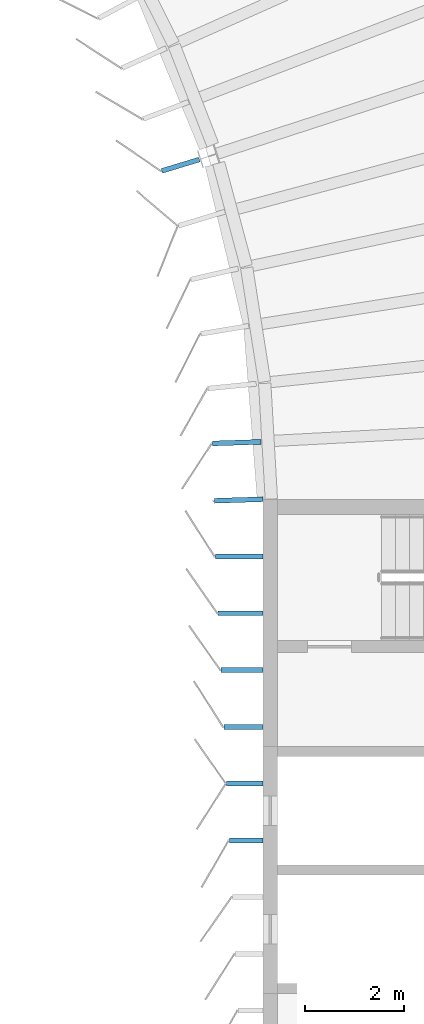
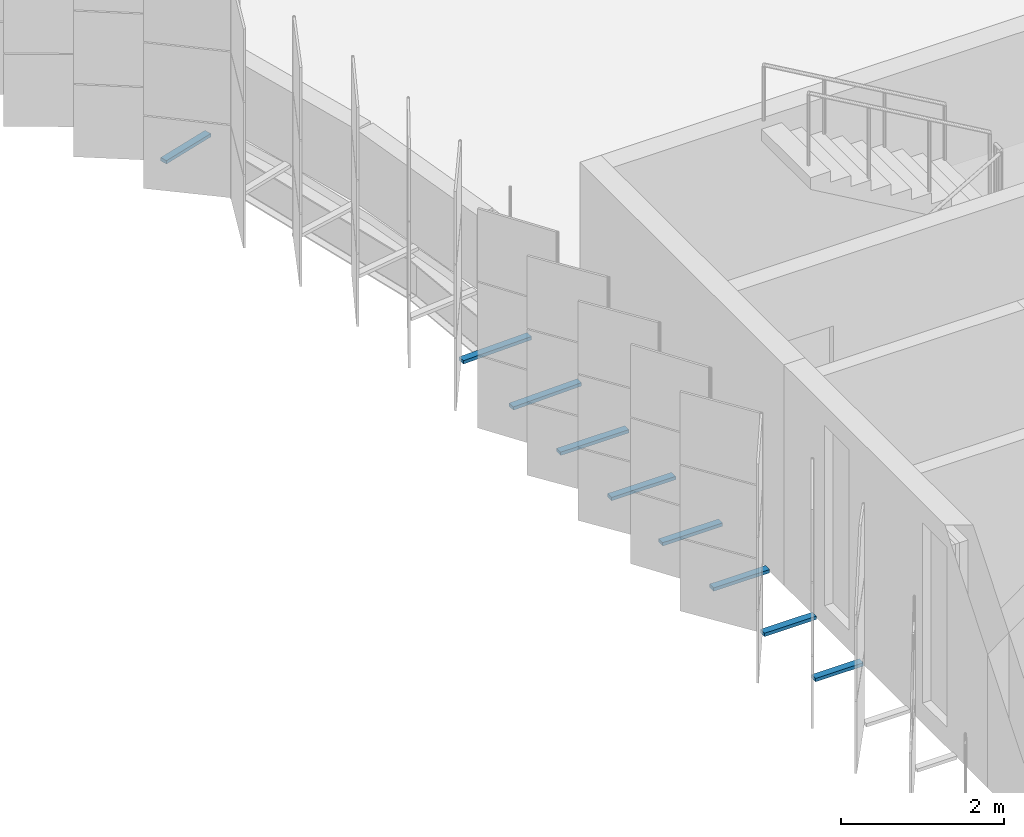
# One storey, part 170 of 199: 9 discrete accessories.
"""IFC4 building model written with IfcOpenShell, lengths in metres."""

from ifc_helpers import new_model, si_unit, direction, frame, origin, origin_2d, place, context, subcontext, project, spatial, rectangle, extrude, material, type_object, element, save


model = new_model("IFC4")

# Units and contexts
model_context = context("Model", 3, precision=1e-05, world=origin(), true_north=direction((0.0, 1.0)))
body_context = subcontext(model_context, "Body", "Model", "MODEL_VIEW")
ifc_project = project(units=[si_unit("LENGTHUNIT", "METRE"), si_unit("AREAUNIT", "SQUARE_METRE"), si_unit("VOLUMEUNIT", "CUBIC_METRE"), si_unit("PLANEANGLEUNIT", "RADIAN"), si_unit("MASSUNIT", "GRAM", prefix="KILO")], contexts=[model_context])

# Site, building, storey
site_placement = place(None, origin())
site = spatial("IfcSite", under=ifc_project, at=site_placement, CompositionType="ELEMENT")
building_placement = place(site_placement, origin())
building = spatial("IfcBuilding", under=site, at=building_placement, Name="Parallax Yard Mobility Hub", CompositionType="ELEMENT")
storey_placement = place(building_placement, frame((0.0, 0.0, 9.89990234375)))
storey = spatial("IfcBuildingStorey", under=building, at=storey_placement, Name="L03", CompositionType="ELEMENT", Elevation=9.89990234375)

# Discrete accessories
ifc_material = material(Name="Steel ASTM A36, hot-dip galvanised", Category="steel")
discrete_accessory_type = type_object("IfcDiscreteAccessoryType", Name="Hinge bracket plate 100x50", PredefinedType="BRACKET", material=ifc_material)
discrete_accessory_1_placement = place(storey_placement, frame((193.3330078125, 96.775390625, -0.02490234375), z_axis=(0.0, 0.0, 1.0), x_axis=(-0.956940335732, -0.290284677254, 0.0)))
element("IfcDiscreteAccessory", 1, at=discrete_accessory_1_placement, inside=storey, type_object=discrete_accessory_type, Name="Hinge bracket plate bay 22.1 level L03", PredefinedType="BRACKET", context=body_context, shape_type="SweptSolid", body=[
    extrude(rectangle(XDim=0.79638671875, YDim=0.10009765625, at=origin_2d()), origin(), (0.0, 0.0, 1.0), 0.050048828125),
])
for number, where, z_axis, x_axis, name in (
    (2, (194.47021484375, 91.155029296875, -0.02490234375), (0.0, 0.0, 1.0), (-0.999464587476, -0.032719082822, 0.0), "Hinge bracket plate bay 22.6 level L03"),
    (3, (194.50830078125, 89.993408203125, -0.02490234375), (0.0, 0.0, 1.0), (-0.999464587476, -0.032719082822, 0.0), "Hinge bracket plate bay 23.1 level L03"),
):
    element("IfcDiscreteAccessory", number, at=place(storey_placement, frame(where, z_axis=z_axis, x_axis=x_axis)), inside=storey, type_object=discrete_accessory_type, Name=name, PredefinedType="BRACKET", context=body_context, shape_type="SweptSolid", body=[
        extrude(rectangle(XDim=0.984130859375, YDim=0.10009765625, at=origin_2d()), origin(), (0.0, 0.0, 1.0), 0.050048828125),
    ])
discrete_accessory_2_placement = place(storey_placement, frame((194.518310546875, 88.849609375, -0.02490234375), z_axis=(0.0, 0.0, 1.0), x_axis=(-1.0, 0.0, 0.0)))
element("IfcDiscreteAccessory", 4, at=discrete_accessory_2_placement, inside=storey, type_object=discrete_accessory_type, Name="Hinge bracket plate bay 23.2 level L03", PredefinedType="BRACKET", context=body_context, shape_type="SweptSolid", body=[
    extrude(rectangle(XDim=0.96435546875, YDim=0.10009765625, at=origin_2d()), origin(), (0.0, 0.0, 1.0), 0.050048828125),
])
discrete_accessory_3_placement = place(storey_placement, frame((194.547119140625, 87.69921875, -0.02490234375), z_axis=(0.0, 0.0, 1.0), x_axis=(-1.0, 0.0, 0.0)))
element("IfcDiscreteAccessory", 5, at=discrete_accessory_3_placement, inside=storey, type_object=discrete_accessory_type, Name="Hinge bracket plate bay 23.3 level L03", PredefinedType="BRACKET", context=body_context, shape_type="SweptSolid", body=[
    extrude(rectangle(XDim=0.906982421875, YDim=0.10009765625, at=origin_2d()), origin(), (0.0, 0.0, 1.0), 0.050048828125),
])
discrete_accessory_4_placement = place(storey_placement, frame((194.57568359375, 86.549072265625, -0.02490234375), z_axis=(0.0, 0.0, 1.0), x_axis=(-1.0, 0.0, 0.0)))
element("IfcDiscreteAccessory", 6, at=discrete_accessory_4_placement, inside=storey, type_object=discrete_accessory_type, Name="Hinge bracket plate bay 23.4 level L03", PredefinedType="BRACKET", context=body_context, shape_type="SweptSolid", body=[
    extrude(rectangle(XDim=0.849365234375, YDim=0.10009765625, at=origin_2d()), origin(), (0.0, 0.0, 1.0), 0.050048828125),
])
discrete_accessory_5_placement = place(storey_placement, frame((194.6044921875, 85.39892578125, -0.02490234375), z_axis=(0.0, 0.0, 1.0), x_axis=(-1.0, 0.0, 0.0)))
element("IfcDiscreteAccessory", 7, at=discrete_accessory_5_placement, inside=storey, type_object=discrete_accessory_type, Name="Hinge bracket plate bay 23.5 level L03", PredefinedType="BRACKET", context=body_context, shape_type="SweptSolid", body=[
    extrude(rectangle(XDim=0.7919921875, YDim=0.10009765625, at=origin_2d()), origin(), (0.0, 0.0, 1.0), 0.050048828125),
])
discrete_accessory_6_placement = place(storey_placement, frame((194.63330078125, 84.248779296875, -0.02490234375), z_axis=(0.0, 0.0, 1.0), x_axis=(-1.0, 0.0, 0.0)))
element("IfcDiscreteAccessory", 8, at=discrete_accessory_6_placement, inside=storey, type_object=discrete_accessory_type, Name="Hinge bracket plate bay 23.6 level L03", PredefinedType="BRACKET", context=body_context, shape_type="SweptSolid", body=[
    extrude(rectangle(XDim=0.734375, YDim=0.10009765625, at=origin_2d()), origin(), (0.0, 0.0, 1.0), 0.050048828125),
])
discrete_accessory_7_placement = place(storey_placement, frame((194.662109375, 83.098388671875, -0.02490234375), z_axis=(0.0, 0.0, 1.0), x_axis=(-1.0, 0.0, 0.0)))
element("IfcDiscreteAccessory", 9, at=discrete_accessory_7_placement, inside=storey, type_object=discrete_accessory_type, Name="Hinge bracket plate bay 23.7 level L03", PredefinedType="BRACKET", context=body_context, shape_type="SweptSolid", body=[
    extrude(rectangle(XDim=0.677001953125, YDim=0.10009765625, at=origin_2d()), origin(), (0.0, 0.0, 1.0), 0.050048828125),
])

save(model, "model.ifc")
